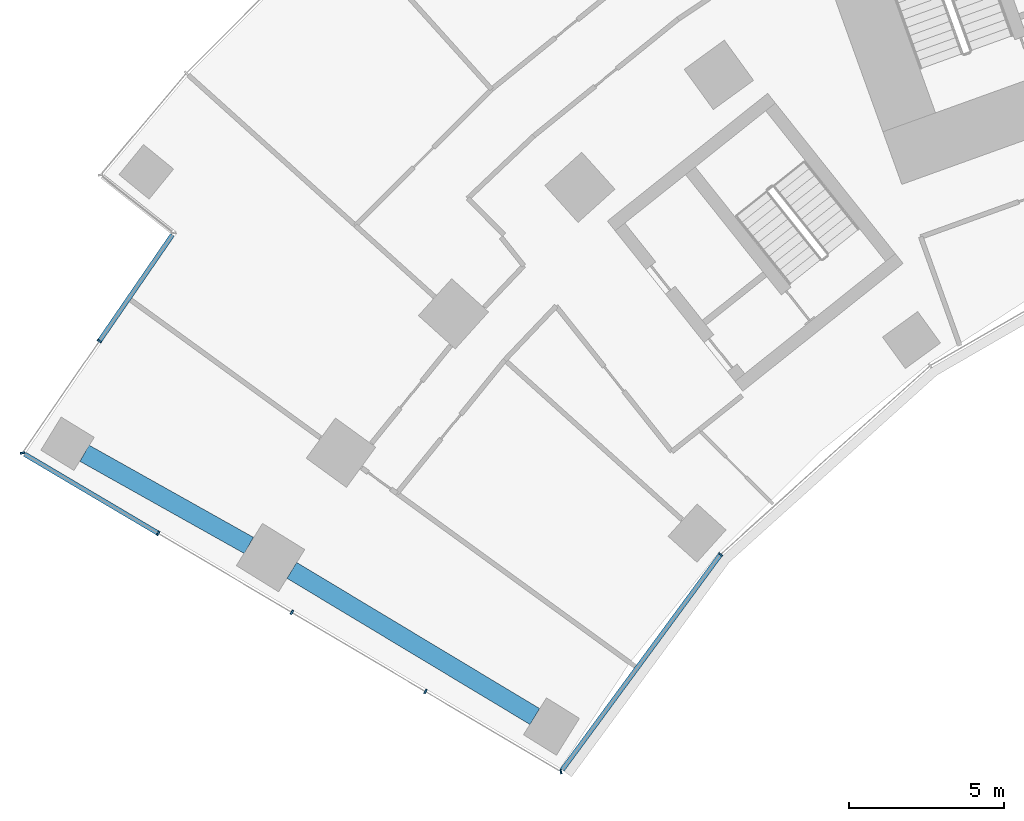
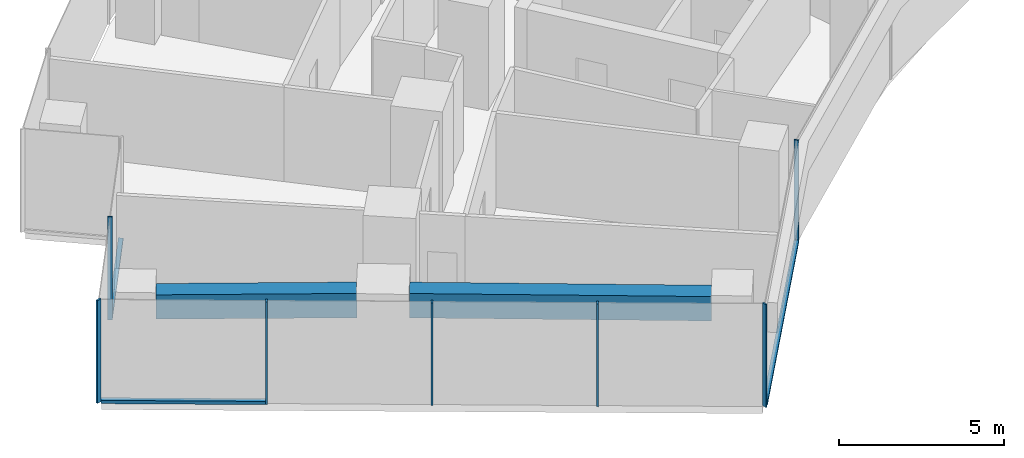
# One storey, part 2 of 21: 10 members, 2 beams, 3 elements without a shape of their own.
"""IFC4 building model written with IfcOpenShell, lengths in metres."""

from ifc_helpers import new_model, si_unit, direction, frame, origin, origin_2d, place, context, subcontext, project, spatial, rectangle, extrude, material, layer, layer_set, material_profile, profile_set, type_object, element, aggregate, save


model = new_model("IFC4")

# Units and contexts
model_context = context("Model", 3, precision=1e-05, world=origin(), true_north=direction((0.0, 1.0)))
body_context = subcontext(model_context, "Body", "Model", "MODEL_VIEW")
ifc_project = project(units=[si_unit("LENGTHUNIT", "METRE"), si_unit("AREAUNIT", "SQUARE_METRE"), si_unit("VOLUMEUNIT", "CUBIC_METRE"), si_unit("PLANEANGLEUNIT", "RADIAN"), si_unit("MASSUNIT", "GRAM", prefix="KILO")], contexts=[model_context])

# Site, building, storey
site_placement = place(None, origin())
site = spatial("IfcSite", under=ifc_project, at=site_placement, CompositionType="ELEMENT")
building_placement = place(site_placement, origin())
building = spatial("IfcBuilding", under=site, at=building_placement, Name="Stone Belt Terrace Tower", CompositionType="ELEMENT")
storey_placement = place(building_placement, frame((0.0, 0.0, 45.199951171875)))
storey = spatial("IfcBuildingStorey", under=building, at=storey_placement, Name="L10", CompositionType="ELEMENT", Elevation=45.199951171875)

# Curtain wall, members
ifc_material_1 = material(Name="Aluminium 6063-T6 anodised frame", Category="aluminium")
ifc_layer_1 = layer(ifc_material_1, 0.14990234375)
ifc_layer_set_1 = layer_set([ifc_layer_1], Name="CW-B unitised concave-face curtain wall")
curtain_wall_type_1 = type_object("IfcCurtainWallType", Name="CW-B unitised concave-face curtain wall", PredefinedType="NOTDEFINED", material=ifc_layer_set_1)
curtain_wall_1_placement = place(storey_placement, origin())
curtain_wall_1 = element("IfcCurtainWall", 1, at=curtain_wall_1_placement, inside=storey, type_object=curtain_wall_type_1, Name="CW-B concave face L10", PredefinedType="NOTDEFINED")
ifc_material_profile_1 = material_profile(ifc_material_1, rectangle(XDim=0.14990234375, YDim=0.050048828125, at=origin_2d()), Name="Aluminium 6063-T6 50x150")
ifc_profile_set_1 = profile_set([ifc_material_profile_1], Name="Aluminium 6063-T6 anodised frame")
member_type_1 = type_object("IfcMemberType", Name="CW-B mullion 50 x 150", PredefinedType="MULLION", material=ifc_profile_set_1)
member_1_placement = place(storey_placement, frame((-37.4140625, 22.0576171875, 0.0), z_axis=(0.0, 0.0, 1.0), x_axis=(-0.199957039009, 0.979804665508, 0.0)))
member_1 = element("IfcMember", 2, at=member_1_placement, type_object=member_type_1, Name="CW-B mullion 1", PredefinedType="MULLION", context=body_context, shape_type="SweptSolid", body=[
    extrude(rectangle(XDim=0.14990234375, YDim=0.050048828125, at=origin_2d()), origin(), (0.0, 0.0, 1.0), 3.800048828125),
])
member_2_placement = place(storey_placement, frame((-32.27099609375, 29.056640625, 0.0), z_axis=(0.0, 0.0, 1.0), x_axis=(-0.741329775891, 0.671140941515, 0.0)))
member_2 = element("IfcMember", 3, at=member_2_placement, type_object=member_type_1, Name="CW-B mullion 2", PredefinedType="MULLION", context=body_context, shape_type="SweptSolid", body=[
    extrude(rectangle(XDim=0.14990234375, YDim=0.050048828125, at=origin_2d()), origin(), (0.0, 0.0, 1.0), 3.800048828125),
])
ifc_material_profile_2 = material_profile(ifc_material_1, rectangle(XDim=0.14990234375, YDim=0.1201171875, at=origin_2d()), Name="Aluminium 6063-T6 150x120")
ifc_profile_set_2 = profile_set([ifc_material_profile_2], Name="Aluminium 6063-T6 anodised frame")
member_type_2 = type_object("IfcMemberType", Name="CW-B transom 120 x 150", PredefinedType="USERDEFINED", material=ifc_profile_set_2)
member_3_placement = place(storey_placement, frame((-37.373291015625, 22.11328125, 0.06005859375), z_axis=(0.592180847905, 0.805805090189, 0.0), x_axis=(-0.805805090189, 0.592180847905, 0.0)))
member_3 = element("IfcMember", 4, at=member_3_placement, type_object=member_type_2, Name="CW-B transom 1.1", ObjectType="TRANSOM", PredefinedType="USERDEFINED", context=body_context, shape_type="SweptSolid", body=[
    extrude(rectangle(XDim=0.14990234375, YDim=0.1201171875, at=origin_2d()), origin(), (0.0, 0.0, 1.0), 8.583984375),
])
aggregate(curtain_wall_1, [member_1, member_2, member_3])

# Curtain wall, member
ifc_layer_2 = layer(ifc_material_1, 0.14990234375)
ifc_layer_set_2 = layer_set([ifc_layer_2], Name="CW-C stick curtain wall, horn ends and notches")
curtain_wall_type_2 = type_object("IfcCurtainWallType", Name="CW-C stick curtain wall, horn ends and notches", PredefinedType="NOTDEFINED", material=ifc_layer_set_2)
curtain_wall_2_placement = place(storey_placement, origin())
curtain_wall_2 = element("IfcCurtainWall", 5, at=curtain_wall_2_placement, inside=storey, type_object=curtain_wall_type_2, Name="CW-C notch face L10", PredefinedType="NOTDEFINED")
ifc_material_profile_3 = material_profile(ifc_material_1, rectangle(XDim=0.14990234375, YDim=0.06005859375, at=origin_2d()), Name="Aluminium 6063-T6 60x150")
ifc_profile_set_3 = profile_set([ifc_material_profile_3], Name="Aluminium 6063-T6 anodised frame")
member_type_3 = type_object("IfcMemberType", Name="CW-C mullion 60 x 150", PredefinedType="MULLION", material=ifc_profile_set_3)
member_4_placement = place(storey_placement, frame((-52.275390625, 35.925048828125, 0.0), z_axis=(0.0, 0.0, 1.0), x_axis=(0.824146991357, -0.566375967567, 0.0)))
member_4 = element("IfcMember", 6, at=member_4_placement, type_object=member_type_3, Name="CW-C mullion 2", PredefinedType="MULLION", context=body_context, shape_type="SweptSolid", body=[
    extrude(rectangle(XDim=0.14990234375, YDim=0.06005859375, at=origin_2d()), origin(), (0.0, 0.0, 1.0), 3.800048828125),
])

# Curtain wall, members
curtain_wall_3_placement = place(storey_placement, origin())
curtain_wall_3 = element("IfcCurtainWall", 7, at=curtain_wall_3_placement, inside=storey, type_object=curtain_wall_type_2, Name="CW-C end face L10", PredefinedType="NOTDEFINED")
member_5_placement = place(storey_placement, frame((-54.752685546875, 32.3203125, 0.0), z_axis=(0.0, 0.0, 1.0), x_axis=(0.976519557331, 0.215428768157, 0.0)))
member_5 = element("IfcMember", 8, at=member_5_placement, type_object=member_type_3, Name="CW-C mullion 1", PredefinedType="MULLION", context=body_context, shape_type="SweptSolid", body=[
    extrude(rectangle(XDim=0.14990234375, YDim=0.06005859375, at=origin_2d()), origin(), (0.0, 0.0, 1.0), 3.800048828125),
])
member_6_placement = place(storey_placement, frame((-50.380859375, 29.732666015625, 0.0), z_axis=(0.0, 0.0, 1.0), x_axis=(0.509352918793, 0.860557728521, 0.0)))
member_6 = element("IfcMember", 9, at=member_6_placement, type_object=member_type_3, Name="CW-C mullion 2", PredefinedType="MULLION", context=body_context, shape_type="SweptSolid", body=[
    extrude(rectangle(XDim=0.14990234375, YDim=0.06005859375, at=origin_2d()), origin(), (0.0, 0.0, 1.0), 3.800048828125),
])
member_7_placement = place(storey_placement, frame((-46.078125, 27.185791015625, 0.0), z_axis=(0.0, 0.0, 1.0), x_axis=(0.509352918793, 0.860557728521, 0.0)))
member_7 = element("IfcMember", 10, at=member_7_placement, type_object=member_type_3, Name="CW-C mullion 3", PredefinedType="MULLION", context=body_context, shape_type="SweptSolid", body=[
    extrude(rectangle(XDim=0.14990234375, YDim=0.06005859375, at=origin_2d()), origin(), (0.0, 0.0, 1.0), 3.800048828125),
])
member_8_placement = place(storey_placement, frame((-41.775146484375, 24.63916015625, 0.0), z_axis=(0.0, 0.0, 1.0), x_axis=(0.509352918793, 0.860557728521, 0.0)))
member_8 = element("IfcMember", 11, at=member_8_placement, type_object=member_type_3, Name="CW-C mullion 4", PredefinedType="MULLION", context=body_context, shape_type="SweptSolid", body=[
    extrude(rectangle(XDim=0.14990234375, YDim=0.06005859375, at=origin_2d()), origin(), (0.0, 0.0, 1.0), 3.800048828125),
])

# Member
ifc_material_profile_4 = material_profile(ifc_material_1, rectangle(XDim=0.14990234375, YDim=0.1201171875, at=origin_2d()), Name="Aluminium 6063-T6 150x120")
ifc_profile_set_4 = profile_set([ifc_material_profile_4], Name="Aluminium 6063-T6 anodised frame")
member_type_4 = type_object("IfcMemberType", Name="CW-C transom 120 x 150", PredefinedType="USERDEFINED", material=ifc_profile_set_4)
member_9_placement = place(storey_placement, frame((-49.924560546875, 39.345703125, 0.06005859375), z_axis=(-0.566362850847, -0.824156005365, 0.0), x_axis=(0.824156005365, -0.566362850847, 0.0)))
member_9 = element("IfcMember", 12, at=member_9_placement, type_object=member_type_4, Name="CW-C transom 1.1", ObjectType="TRANSOM", PredefinedType="USERDEFINED", context=body_context, shape_type="SweptSolid", body=[
    extrude(rectangle(XDim=0.14990234375, YDim=0.1201171875, at=origin_2d()), origin(), (0.0, 0.0, 1.0), 4.12060546875),
])

aggregate(curtain_wall_2, [member_4, member_9])

member_10_placement = place(storey_placement, frame((-54.68798828125, 32.281982421875, 0.06005859375), z_axis=(0.860543319846, -0.509377261633, 0.0), x_axis=(0.509377261633, 0.860543319846, 0.0)))
member_10 = element("IfcMember", 13, at=member_10_placement, type_object=member_type_4, Name="CW-C transom 1.1", ObjectType="TRANSOM", PredefinedType="USERDEFINED", context=body_context, shape_type="SweptSolid", body=[
    extrude(rectangle(XDim=0.14990234375, YDim=0.1201171875, at=origin_2d()), origin(), (0.0, 0.0, 1.0), 4.97509765625),
])

aggregate(curtain_wall_3, [member_5, member_6, member_7, member_8, member_10])

# Beams
ifc_material_2 = material(Name="Concrete B60", Category="concrete")
ifc_material_profile_5 = material_profile(ifc_material_2, rectangle(XDim=0.60009765625, YDim=0.89990234375, at=origin_2d()), Name="RC 600x900")
ifc_profile_set_5 = profile_set([ifc_material_profile_5], Name="Concrete B60")
beam_type = type_object("IfcBeamType", Name="Edge beam RC 600x900 B60", PredefinedType="SPANDREL", material=ifc_profile_set_5)
beam_1_placement = place(storey_placement, frame((-38.253662109375, 23.83203125, 3.030029296875), z_axis=(-0.856900189152, 0.51548236229, 0.0), x_axis=(-0.51548236229, -0.856900189152, 0.0)))
element("IfcBeam", 14, at=beam_1_placement, inside=storey, type_object=beam_type, Name="Edge beam L10 A P to Q", PredefinedType="SPANDREL", context=body_context, shape_type="SweptSolid", body=[
    extrude(rectangle(XDim=0.60009765625, YDim=0.89990234375, at=origin_2d()), origin(), (0.0, 0.0, 1.0), 9.130859375),
])
beam_2_placement = place(storey_placement, frame((-47.4619140625, 29.3427734375, 3.030029296875), z_axis=(-0.872212947991, 0.489126336806, 0.0), x_axis=(-0.489126336806, -0.872212947991, 0.0)))
element("IfcBeam", 15, at=beam_2_placement, inside=storey, type_object=beam_type, Name="Edge beam L10 A Q to R", PredefinedType="SPANDREL", context=body_context, shape_type="SweptSolid", body=[
    extrude(rectangle(XDim=0.60009765625, YDim=0.89990234375, at=origin_2d()), origin(), (0.0, 0.0, 1.0), 6.069091796875),
])

save(model, "model.ifc")
